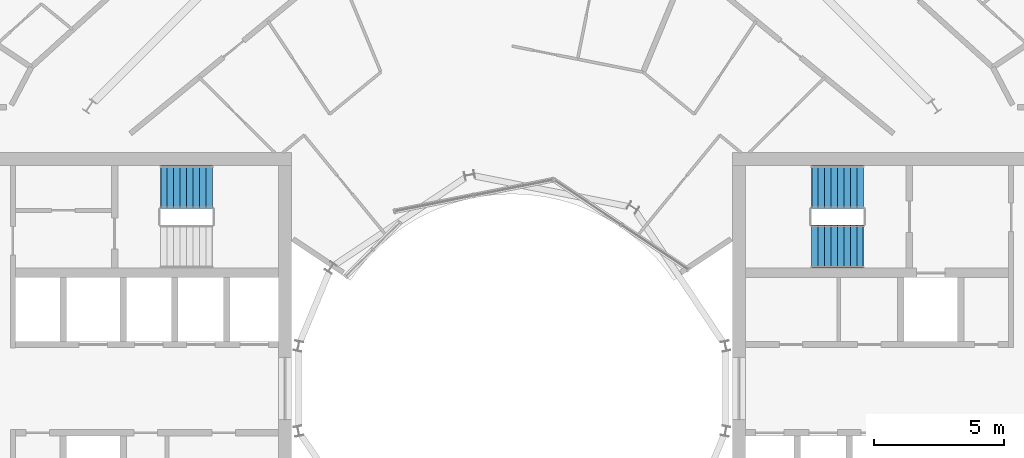
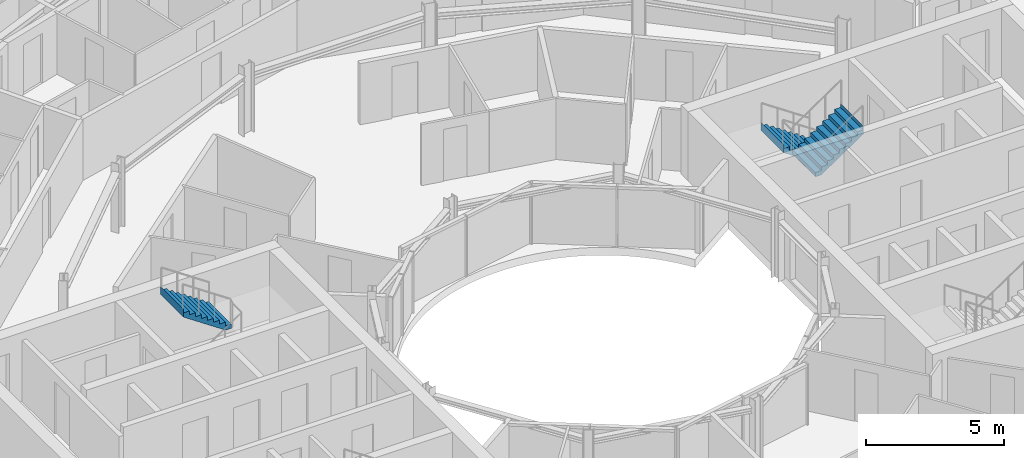
# One storey, part 25 of 27: 3 stair flights, 2 elements without a shape of their own.
"""IFC4 building model written with IfcOpenShell, lengths in metres."""

from ifc_helpers import new_model, si_unit, direction, frame, origin, place, context, subcontext, project, spatial, triangles, material, type_object, element, aggregate, save


model = new_model("IFC4")

# Units and contexts
model_context = context("Model", 3, precision=1e-05, world=origin(), true_north=direction((0.0, 1.0)))
body_context = subcontext(model_context, "Body", "Model", "MODEL_VIEW")
ifc_project = project(units=[si_unit("LENGTHUNIT", "METRE"), si_unit("AREAUNIT", "SQUARE_METRE"), si_unit("VOLUMEUNIT", "CUBIC_METRE"), si_unit("PLANEANGLEUNIT", "RADIAN"), si_unit("MASSUNIT", "GRAM", prefix="KILO")], contexts=[model_context])

# Site, building, storey
site_placement = place(None, origin())
site = spatial("IfcSite", under=ifc_project, at=site_placement, CompositionType="ELEMENT")
building_placement = place(site_placement, origin())
building = spatial("IfcBuilding", under=site, at=building_placement, Name="Maasbend Ring Residences", CompositionType="ELEMENT")
storey_placement = place(building_placement, frame((0.0, 0.0, 164.64990234375)))
storey = spatial("IfcBuildingStorey", under=building, at=storey_placement, Name="L47", CompositionType="ELEMENT", Elevation=164.64990234375)

# Stair, stair flights
ifc_material_1 = material(Name="Concrete C40/50", Category="concrete")
stair_type = type_object("IfcStairType", Name="CORE STAIR 18 RISERS", PredefinedType="HALF_TURN_STAIR", material=ifc_material_1)
stair_1_placement = place(storey_placement, origin())
stair_1 = element("IfcStair", 1, at=stair_1_placement, inside=storey, type_object=stair_type, Name="L47 Exit stair ST-E1", PredefinedType="HALF_TURN_STAIR")
ifc_material_2 = material(Name="Concrete C40/50", Category="concrete")
stair_flight_type = type_object("IfcStairFlightType", Name="CORE STAIR FLIGHT 1650", PredefinedType="STRAIGHT", material=ifc_material_2)
stair_flight_1_placement = place(storey_placement, frame((13.550048828125, 7.77490234375, 0.0), z_axis=(0.0, 0.0, 1.0), x_axis=(-1.0, 0.0, 0.0)))
stair_flight_1 = element("IfcStairFlight", 2, at=stair_flight_1_placement, type_object=stair_flight_type, Name="ST-E1 flight 1", NumberOfRisers=9, NumberOfTreads=8, PredefinedType="STRAIGHT", RiserHeight=0.169444444, TreadLength=0.25, context=body_context, shape_type="Tessellation", body=[
    triangles([(0.24072265625, 0.824951171875, -0.02001953125), (2.0029296875, 0.824951171875, 1.174560546875), (2.0029296875, 0.824951171875, 1.52490234375), (1.989990234375, 0.824951171875, 1.35546875), (1.75, 0.824951171875, 1.35546875), (1.75, 0.824951171875, 1.18603515625), (1.5, 0.824951171875, 1.18603515625), (1.5, 0.824951171875, 1.0166015625), (1.25, 0.824951171875, 1.0166015625), (1.25, 0.824951171875, 0.84716796875), (1.0, 0.824951171875, 0.84716796875), (1.0, 0.824951171875, 0.677734375), (0.75, 0.824951171875, 0.677734375), (0.75, 0.824951171875, 0.50830078125), (0.5, 0.824951171875, 0.50830078125), (0.5, 0.824951171875, 0.3388671875), (0.25, 0.824951171875, 0.3388671875), (0.25, 0.824951171875, 0.16943359375), (0.0, 0.824951171875, 0.16943359375), (0.0, 0.824951171875, 0.0), (-0.0029296875, 0.824951171875, 0.0), (-0.0029296875, 0.824951171875, -0.02001953125), (0.24072265625, 0.27490234375, -0.02001953125), (2.0029296875, 0.27490234375, 1.174560546875), (2.0029296875, 0.27490234375, 1.52490234375), (1.989990234375, 0.27490234375, 1.35546875), (1.75, 0.27490234375, 1.35546875), (1.75, 0.27490234375, 1.18603515625), (1.5, 0.27490234375, 1.18603515625), (1.5, 0.27490234375, 1.0166015625), (1.25, 0.27490234375, 1.0166015625), (1.25, 0.27490234375, 0.84716796875), (1.0, 0.27490234375, 0.84716796875), (1.0, 0.27490234375, 0.677734375), (0.75, 0.27490234375, 0.677734375), (0.75, 0.27490234375, 0.50830078125), (0.5, 0.27490234375, 0.50830078125), (0.5, 0.27490234375, 0.3388671875), (0.25, 0.27490234375, 0.3388671875), (0.25, 0.27490234375, 0.16943359375), (0.0, 0.27490234375, 0.16943359375), (0.0, 0.27490234375, 0.0), (-0.0029296875, 0.27490234375, 0.0), (-0.0029296875, 0.27490234375, -0.02001953125), (0.24072265625, -0.27490234375, -0.02001953125), (2.0029296875, -0.27490234375, 1.174560546875), (2.0029296875, -0.27490234375, 1.52490234375), (1.989990234375, -0.27490234375, 1.35546875), (1.75, -0.27490234375, 1.35546875), (1.75, -0.27490234375, 1.18603515625), (1.5, -0.27490234375, 1.18603515625), (1.5, -0.27490234375, 1.0166015625), (1.25, -0.27490234375, 1.0166015625), (1.25, -0.27490234375, 0.84716796875), (1.0, -0.27490234375, 0.84716796875), (1.0, -0.27490234375, 0.677734375), (0.75, -0.27490234375, 0.677734375), (0.75, -0.27490234375, 0.50830078125), (0.5, -0.27490234375, 0.50830078125), (0.5, -0.27490234375, 0.3388671875), (0.25, -0.27490234375, 0.3388671875), (0.25, -0.27490234375, 0.16943359375), (0.0, -0.27490234375, 0.16943359375), (0.0, -0.27490234375, 0.0), (-0.0029296875, -0.27490234375, 0.0), (-0.0029296875, -0.27490234375, -0.02001953125), (0.24072265625, -0.824951171875, -0.02001953125), (2.0029296875, -0.824951171875, 1.174560546875), (2.0029296875, -0.824951171875, 1.52490234375), (1.989990234375, -0.824951171875, 1.35546875), (1.75, -0.824951171875, 1.35546875), (1.75, -0.824951171875, 1.18603515625), (1.5, -0.824951171875, 1.18603515625), (1.5, -0.824951171875, 1.0166015625), (1.25, -0.824951171875, 1.0166015625), (1.25, -0.824951171875, 0.84716796875), (1.0, -0.824951171875, 0.84716796875), (1.0, -0.824951171875, 0.677734375), (0.75, -0.824951171875, 0.677734375), (0.75, -0.824951171875, 0.50830078125), (0.5, -0.824951171875, 0.50830078125), (0.5, -0.824951171875, 0.3388671875), (0.25, -0.824951171875, 0.3388671875), (0.25, -0.824951171875, 0.16943359375), (0.0, -0.824951171875, 0.16943359375), (0.0, -0.824951171875, 0.0), (-0.0029296875, -0.824951171875, 0.0), (-0.0029296875, -0.824951171875, -0.02001953125)], [[1, 2, 24], [1, 24, 23], [23, 24, 46], [23, 46, 45], [45, 46, 68], [45, 68, 67], [2, 3, 25], [2, 25, 24], [24, 25, 47], [24, 47, 46], [46, 47, 69], [46, 69, 68], [3, 4, 26], [3, 26, 25], [25, 26, 48], [25, 48, 47], [47, 48, 70], [47, 70, 69], [4, 5, 27], [4, 27, 26], [26, 27, 49], [26, 49, 48], [48, 49, 71], [48, 71, 70], [5, 6, 28], [5, 28, 27], [27, 28, 50], [27, 50, 49], [49, 50, 72], [49, 72, 71], [6, 7, 29], [6, 29, 28], [28, 29, 51], [28, 51, 50], [50, 51, 73], [50, 73, 72], [7, 8, 30], [7, 30, 29], [29, 30, 52], [29, 52, 51], [51, 52, 74], [51, 74, 73], [8, 9, 31], [8, 31, 30], [30, 31, 53], [30, 53, 52], [52, 53, 75], [52, 75, 74], [9, 10, 32], [9, 32, 31], [31, 32, 54], [31, 54, 53], [53, 54, 76], [53, 76, 75], [10, 11, 33], [10, 33, 32], [32, 33, 55], [32, 55, 54], [54, 55, 77], [54, 77, 76], [11, 12, 34], [11, 34, 33], [33, 34, 56], [33, 56, 55], [55, 56, 78], [55, 78, 77], [12, 13, 35], [12, 35, 34], [34, 35, 57], [34, 57, 56], [56, 57, 79], [56, 79, 78], [13, 14, 36], [13, 36, 35], [35, 36, 58], [35, 58, 57], [57, 58, 80], [57, 80, 79], [14, 15, 37], [14, 37, 36], [36, 37, 59], [36, 59, 58], [58, 59, 81], [58, 81, 80], [15, 16, 38], [15, 38, 37], [37, 38, 60], [37, 60, 59], [59, 60, 82], [59, 82, 81], [16, 17, 39], [16, 39, 38], [38, 39, 61], [38, 61, 60], [60, 61, 83], [60, 83, 82], [17, 18, 40], [17, 40, 39], [39, 40, 62], [39, 62, 61], [61, 62, 84], [61, 84, 83], [18, 19, 41], [18, 41, 40], [40, 41, 63], [40, 63, 62], [62, 63, 85], [62, 85, 84], [19, 20, 42], [19, 42, 41], [41, 42, 64], [41, 64, 63], [63, 64, 86], [63, 86, 85], [20, 21, 43], [20, 43, 42], [42, 43, 65], [42, 65, 64], [64, 65, 87], [64, 87, 86], [21, 22, 44], [21, 44, 43], [43, 44, 66], [43, 66, 65], [65, 66, 88], [65, 88, 87], [22, 1, 23], [22, 23, 44], [44, 23, 45], [44, 45, 66], [66, 45, 67], [66, 67, 88], [22, 2, 1], [2, 4, 3], [2, 5, 4], [2, 6, 5], [22, 6, 2], [6, 8, 7], [22, 8, 6], [8, 10, 9], [22, 10, 8], [10, 12, 11], [22, 12, 10], [12, 14, 13], [22, 14, 12], [14, 16, 15], [22, 16, 14], [16, 18, 17], [22, 18, 16], [18, 20, 19], [22, 20, 18], [20, 22, 21], [88, 67, 68], [68, 69, 70], [68, 70, 71], [68, 71, 72], [88, 68, 72], [72, 73, 74], [88, 72, 74], [74, 75, 76], [88, 74, 76], [76, 77, 78], [88, 76, 78], [78, 79, 80], [88, 78, 80], [80, 81, 82], [88, 80, 82], [82, 83, 84], [88, 82, 84], [84, 85, 86], [88, 84, 86], [86, 87, 88]], closed=True),
])
stair_flight_2_placement = place(storey_placement, frame((11.550048828125, 5.47509765625, 1.525146484375), z_axis=(0.0, 0.0, 1.0), x_axis=(1.0, 0.0, 0.0)))
stair_flight_2 = element("IfcStairFlight", 3, at=stair_flight_2_placement, type_object=stair_flight_type, Name="ST-E1 flight 2", NumberOfRisers=9, NumberOfTreads=8, PredefinedType="STRAIGHT", RiserHeight=0.169444444, TreadLength=0.25, context=body_context, shape_type="Tessellation", body=[
    triangles([(0.24072265625, 0.824951171875, -0.02001953125), (2.0029296875, 0.824951171875, 1.174560546875), (2.0029296875, 0.824951171875, 1.52490234375), (1.989990234375, 0.824951171875, 1.35546875), (1.75, 0.824951171875, 1.35546875), (1.75, 0.824951171875, 1.18603515625), (1.5, 0.824951171875, 1.18603515625), (1.5, 0.824951171875, 1.0166015625), (1.25, 0.824951171875, 1.0166015625), (1.25, 0.824951171875, 0.84716796875), (1.0, 0.824951171875, 0.84716796875), (1.0, 0.824951171875, 0.677734375), (0.75, 0.824951171875, 0.677734375), (0.75, 0.824951171875, 0.50830078125), (0.5, 0.824951171875, 0.50830078125), (0.5, 0.824951171875, 0.3388671875), (0.25, 0.824951171875, 0.3388671875), (0.25, 0.824951171875, 0.16943359375), (0.0, 0.824951171875, 0.16943359375), (0.0, 0.824951171875, 0.0), (-0.0029296875, 0.824951171875, 0.0), (-0.0029296875, 0.824951171875, -0.02001953125), (0.24072265625, 0.27490234375, -0.02001953125), (2.0029296875, 0.27490234375, 1.174560546875), (2.0029296875, 0.27490234375, 1.52490234375), (1.989990234375, 0.27490234375, 1.35546875), (1.75, 0.27490234375, 1.35546875), (1.75, 0.27490234375, 1.18603515625), (1.5, 0.27490234375, 1.18603515625), (1.5, 0.27490234375, 1.0166015625), (1.25, 0.27490234375, 1.0166015625), (1.25, 0.27490234375, 0.84716796875), (1.0, 0.27490234375, 0.84716796875), (1.0, 0.27490234375, 0.677734375), (0.75, 0.27490234375, 0.677734375), (0.75, 0.27490234375, 0.50830078125), (0.5, 0.27490234375, 0.50830078125), (0.5, 0.27490234375, 0.3388671875), (0.25, 0.27490234375, 0.3388671875), (0.25, 0.27490234375, 0.16943359375), (0.0, 0.27490234375, 0.16943359375), (0.0, 0.27490234375, 0.0), (-0.0029296875, 0.27490234375, 0.0), (-0.0029296875, 0.27490234375, -0.02001953125), (0.24072265625, -0.27490234375, -0.02001953125), (2.0029296875, -0.27490234375, 1.174560546875), (2.0029296875, -0.27490234375, 1.52490234375), (1.989990234375, -0.27490234375, 1.35546875), (1.75, -0.27490234375, 1.35546875), (1.75, -0.27490234375, 1.18603515625), (1.5, -0.27490234375, 1.18603515625), (1.5, -0.27490234375, 1.0166015625), (1.25, -0.27490234375, 1.0166015625), (1.25, -0.27490234375, 0.84716796875), (1.0, -0.27490234375, 0.84716796875), (1.0, -0.27490234375, 0.677734375), (0.75, -0.27490234375, 0.677734375), (0.75, -0.27490234375, 0.50830078125), (0.5, -0.27490234375, 0.50830078125), (0.5, -0.27490234375, 0.3388671875), (0.25, -0.27490234375, 0.3388671875), (0.25, -0.27490234375, 0.16943359375), (0.0, -0.27490234375, 0.16943359375), (0.0, -0.27490234375, 0.0), (-0.0029296875, -0.27490234375, 0.0), (-0.0029296875, -0.27490234375, -0.02001953125), (0.24072265625, -0.824951171875, -0.02001953125), (2.0029296875, -0.824951171875, 1.174560546875), (2.0029296875, -0.824951171875, 1.52490234375), (1.989990234375, -0.824951171875, 1.35546875), (1.75, -0.824951171875, 1.35546875), (1.75, -0.824951171875, 1.18603515625), (1.5, -0.824951171875, 1.18603515625), (1.5, -0.824951171875, 1.0166015625), (1.25, -0.824951171875, 1.0166015625), (1.25, -0.824951171875, 0.84716796875), (1.0, -0.824951171875, 0.84716796875), (1.0, -0.824951171875, 0.677734375), (0.75, -0.824951171875, 0.677734375), (0.75, -0.824951171875, 0.50830078125), (0.5, -0.824951171875, 0.50830078125), (0.5, -0.824951171875, 0.3388671875), (0.25, -0.824951171875, 0.3388671875), (0.25, -0.824951171875, 0.16943359375), (0.0, -0.824951171875, 0.16943359375), (0.0, -0.824951171875, 0.0), (-0.0029296875, -0.824951171875, 0.0), (-0.0029296875, -0.824951171875, -0.02001953125)], [[1, 2, 24], [1, 24, 23], [23, 24, 46], [23, 46, 45], [45, 46, 68], [45, 68, 67], [2, 3, 25], [2, 25, 24], [24, 25, 47], [24, 47, 46], [46, 47, 69], [46, 69, 68], [3, 4, 26], [3, 26, 25], [25, 26, 48], [25, 48, 47], [47, 48, 70], [47, 70, 69], [4, 5, 27], [4, 27, 26], [26, 27, 49], [26, 49, 48], [48, 49, 71], [48, 71, 70], [5, 6, 28], [5, 28, 27], [27, 28, 50], [27, 50, 49], [49, 50, 72], [49, 72, 71], [6, 7, 29], [6, 29, 28], [28, 29, 51], [28, 51, 50], [50, 51, 73], [50, 73, 72], [7, 8, 30], [7, 30, 29], [29, 30, 52], [29, 52, 51], [51, 52, 74], [51, 74, 73], [8, 9, 31], [8, 31, 30], [30, 31, 53], [30, 53, 52], [52, 53, 75], [52, 75, 74], [9, 10, 32], [9, 32, 31], [31, 32, 54], [31, 54, 53], [53, 54, 76], [53, 76, 75], [10, 11, 33], [10, 33, 32], [32, 33, 55], [32, 55, 54], [54, 55, 77], [54, 77, 76], [11, 12, 34], [11, 34, 33], [33, 34, 56], [33, 56, 55], [55, 56, 78], [55, 78, 77], [12, 13, 35], [12, 35, 34], [34, 35, 57], [34, 57, 56], [56, 57, 79], [56, 79, 78], [13, 14, 36], [13, 36, 35], [35, 36, 58], [35, 58, 57], [57, 58, 80], [57, 80, 79], [14, 15, 37], [14, 37, 36], [36, 37, 59], [36, 59, 58], [58, 59, 81], [58, 81, 80], [15, 16, 38], [15, 38, 37], [37, 38, 60], [37, 60, 59], [59, 60, 82], [59, 82, 81], [16, 17, 39], [16, 39, 38], [38, 39, 61], [38, 61, 60], [60, 61, 83], [60, 83, 82], [17, 18, 40], [17, 40, 39], [39, 40, 62], [39, 62, 61], [61, 62, 84], [61, 84, 83], [18, 19, 41], [18, 41, 40], [40, 41, 63], [40, 63, 62], [62, 63, 85], [62, 85, 84], [19, 20, 42], [19, 42, 41], [41, 42, 64], [41, 64, 63], [63, 64, 86], [63, 86, 85], [20, 21, 43], [20, 43, 42], [42, 43, 65], [42, 65, 64], [64, 65, 87], [64, 87, 86], [21, 22, 44], [21, 44, 43], [43, 44, 66], [43, 66, 65], [65, 66, 88], [65, 88, 87], [22, 1, 23], [22, 23, 44], [44, 23, 45], [44, 45, 66], [66, 45, 67], [66, 67, 88], [22, 2, 1], [2, 4, 3], [2, 5, 4], [2, 6, 5], [22, 6, 2], [6, 8, 7], [22, 8, 6], [8, 10, 9], [22, 10, 8], [10, 12, 11], [22, 12, 10], [12, 14, 13], [22, 14, 12], [14, 16, 15], [22, 16, 14], [16, 18, 17], [22, 18, 16], [18, 20, 19], [22, 20, 18], [20, 22, 21], [88, 67, 68], [68, 69, 70], [68, 70, 71], [68, 71, 72], [88, 68, 72], [72, 73, 74], [88, 72, 74], [74, 75, 76], [88, 74, 76], [76, 77, 78], [88, 76, 78], [78, 79, 80], [88, 78, 80], [80, 81, 82], [88, 80, 82], [82, 83, 84], [88, 82, 84], [84, 85, 86], [88, 84, 86], [86, 87, 88]], closed=True),
])
aggregate(stair_1, [stair_flight_1, stair_flight_2])

# Stair, stair flight
stair_2_placement = place(storey_placement, origin())
stair_2 = element("IfcStair", 4, at=stair_2_placement, inside=storey, type_object=stair_type, Name="L47 Exit stair ST-W2", PredefinedType="HALF_TURN_STAIR")
stair_flight_3_placement = place(storey_placement, frame((-11.550048828125, 7.77490234375, 1.525146484375), z_axis=(0.0, 0.0, 1.0), x_axis=(-1.0, 0.0, 0.0)))
stair_flight_3 = element("IfcStairFlight", 5, at=stair_flight_3_placement, type_object=stair_flight_type, Name="ST-W2 flight 2", NumberOfRisers=9, NumberOfTreads=8, PredefinedType="STRAIGHT", RiserHeight=0.169444444, TreadLength=0.25, context=body_context, shape_type="Tessellation", body=[
    triangles([(0.24072265625, 0.824951171875, -0.02001953125), (2.0029296875, 0.824951171875, 1.174560546875), (2.0029296875, 0.824951171875, 1.52490234375), (1.989990234375, 0.824951171875, 1.35546875), (1.75, 0.824951171875, 1.35546875), (1.75, 0.824951171875, 1.18603515625), (1.5, 0.824951171875, 1.18603515625), (1.5, 0.824951171875, 1.0166015625), (1.25, 0.824951171875, 1.0166015625), (1.25, 0.824951171875, 0.84716796875), (1.0, 0.824951171875, 0.84716796875), (1.0, 0.824951171875, 0.677734375), (0.75, 0.824951171875, 0.677734375), (0.75, 0.824951171875, 0.50830078125), (0.5, 0.824951171875, 0.50830078125), (0.5, 0.824951171875, 0.3388671875), (0.25, 0.824951171875, 0.3388671875), (0.25, 0.824951171875, 0.16943359375), (0.0, 0.824951171875, 0.16943359375), (0.0, 0.824951171875, 0.0), (-0.0029296875, 0.824951171875, 0.0), (-0.0029296875, 0.824951171875, -0.02001953125), (0.24072265625, 0.27490234375, -0.02001953125), (2.0029296875, 0.27490234375, 1.174560546875), (2.0029296875, 0.27490234375, 1.52490234375), (1.989990234375, 0.27490234375, 1.35546875), (1.75, 0.27490234375, 1.35546875), (1.75, 0.27490234375, 1.18603515625), (1.5, 0.27490234375, 1.18603515625), (1.5, 0.27490234375, 1.0166015625), (1.25, 0.27490234375, 1.0166015625), (1.25, 0.27490234375, 0.84716796875), (1.0, 0.27490234375, 0.84716796875), (1.0, 0.27490234375, 0.677734375), (0.75, 0.27490234375, 0.677734375), (0.75, 0.27490234375, 0.50830078125), (0.5, 0.27490234375, 0.50830078125), (0.5, 0.27490234375, 0.3388671875), (0.25, 0.27490234375, 0.3388671875), (0.25, 0.27490234375, 0.16943359375), (0.0, 0.27490234375, 0.16943359375), (0.0, 0.27490234375, 0.0), (-0.0029296875, 0.27490234375, 0.0), (-0.0029296875, 0.27490234375, -0.02001953125), (0.24072265625, -0.27490234375, -0.02001953125), (2.0029296875, -0.27490234375, 1.174560546875), (2.0029296875, -0.27490234375, 1.52490234375), (1.989990234375, -0.27490234375, 1.35546875), (1.75, -0.27490234375, 1.35546875), (1.75, -0.27490234375, 1.18603515625), (1.5, -0.27490234375, 1.18603515625), (1.5, -0.27490234375, 1.0166015625), (1.25, -0.27490234375, 1.0166015625), (1.25, -0.27490234375, 0.84716796875), (1.0, -0.27490234375, 0.84716796875), (1.0, -0.27490234375, 0.677734375), (0.75, -0.27490234375, 0.677734375), (0.75, -0.27490234375, 0.50830078125), (0.5, -0.27490234375, 0.50830078125), (0.5, -0.27490234375, 0.3388671875), (0.25, -0.27490234375, 0.3388671875), (0.25, -0.27490234375, 0.16943359375), (0.0, -0.27490234375, 0.16943359375), (0.0, -0.27490234375, 0.0), (-0.0029296875, -0.27490234375, 0.0), (-0.0029296875, -0.27490234375, -0.02001953125), (0.24072265625, -0.824951171875, -0.02001953125), (2.0029296875, -0.824951171875, 1.174560546875), (2.0029296875, -0.824951171875, 1.52490234375), (1.989990234375, -0.824951171875, 1.35546875), (1.75, -0.824951171875, 1.35546875), (1.75, -0.824951171875, 1.18603515625), (1.5, -0.824951171875, 1.18603515625), (1.5, -0.824951171875, 1.0166015625), (1.25, -0.824951171875, 1.0166015625), (1.25, -0.824951171875, 0.84716796875), (1.0, -0.824951171875, 0.84716796875), (1.0, -0.824951171875, 0.677734375), (0.75, -0.824951171875, 0.677734375), (0.75, -0.824951171875, 0.50830078125), (0.5, -0.824951171875, 0.50830078125), (0.5, -0.824951171875, 0.3388671875), (0.25, -0.824951171875, 0.3388671875), (0.25, -0.824951171875, 0.16943359375), (0.0, -0.824951171875, 0.16943359375), (0.0, -0.824951171875, 0.0), (-0.0029296875, -0.824951171875, 0.0), (-0.0029296875, -0.824951171875, -0.02001953125)], [[1, 2, 24], [1, 24, 23], [23, 24, 46], [23, 46, 45], [45, 46, 68], [45, 68, 67], [2, 3, 25], [2, 25, 24], [24, 25, 47], [24, 47, 46], [46, 47, 69], [46, 69, 68], [3, 4, 26], [3, 26, 25], [25, 26, 48], [25, 48, 47], [47, 48, 70], [47, 70, 69], [4, 5, 27], [4, 27, 26], [26, 27, 49], [26, 49, 48], [48, 49, 71], [48, 71, 70], [5, 6, 28], [5, 28, 27], [27, 28, 50], [27, 50, 49], [49, 50, 72], [49, 72, 71], [6, 7, 29], [6, 29, 28], [28, 29, 51], [28, 51, 50], [50, 51, 73], [50, 73, 72], [7, 8, 30], [7, 30, 29], [29, 30, 52], [29, 52, 51], [51, 52, 74], [51, 74, 73], [8, 9, 31], [8, 31, 30], [30, 31, 53], [30, 53, 52], [52, 53, 75], [52, 75, 74], [9, 10, 32], [9, 32, 31], [31, 32, 54], [31, 54, 53], [53, 54, 76], [53, 76, 75], [10, 11, 33], [10, 33, 32], [32, 33, 55], [32, 55, 54], [54, 55, 77], [54, 77, 76], [11, 12, 34], [11, 34, 33], [33, 34, 56], [33, 56, 55], [55, 56, 78], [55, 78, 77], [12, 13, 35], [12, 35, 34], [34, 35, 57], [34, 57, 56], [56, 57, 79], [56, 79, 78], [13, 14, 36], [13, 36, 35], [35, 36, 58], [35, 58, 57], [57, 58, 80], [57, 80, 79], [14, 15, 37], [14, 37, 36], [36, 37, 59], [36, 59, 58], [58, 59, 81], [58, 81, 80], [15, 16, 38], [15, 38, 37], [37, 38, 60], [37, 60, 59], [59, 60, 82], [59, 82, 81], [16, 17, 39], [16, 39, 38], [38, 39, 61], [38, 61, 60], [60, 61, 83], [60, 83, 82], [17, 18, 40], [17, 40, 39], [39, 40, 62], [39, 62, 61], [61, 62, 84], [61, 84, 83], [18, 19, 41], [18, 41, 40], [40, 41, 63], [40, 63, 62], [62, 63, 85], [62, 85, 84], [19, 20, 42], [19, 42, 41], [41, 42, 64], [41, 64, 63], [63, 64, 86], [63, 86, 85], [20, 21, 43], [20, 43, 42], [42, 43, 65], [42, 65, 64], [64, 65, 87], [64, 87, 86], [21, 22, 44], [21, 44, 43], [43, 44, 66], [43, 66, 65], [65, 66, 88], [65, 88, 87], [22, 1, 23], [22, 23, 44], [44, 23, 45], [44, 45, 66], [66, 45, 67], [66, 67, 88], [22, 2, 1], [2, 4, 3], [2, 5, 4], [2, 6, 5], [22, 6, 2], [6, 8, 7], [22, 8, 6], [8, 10, 9], [22, 10, 8], [10, 12, 11], [22, 12, 10], [12, 14, 13], [22, 14, 12], [14, 16, 15], [22, 16, 14], [16, 18, 17], [22, 18, 16], [18, 20, 19], [22, 20, 18], [20, 22, 21], [88, 67, 68], [68, 69, 70], [68, 70, 71], [68, 71, 72], [88, 68, 72], [72, 73, 74], [88, 72, 74], [74, 75, 76], [88, 74, 76], [76, 77, 78], [88, 76, 78], [78, 79, 80], [88, 78, 80], [80, 81, 82], [88, 80, 82], [82, 83, 84], [88, 82, 84], [84, 85, 86], [88, 84, 86], [86, 87, 88]], closed=True),
])
aggregate(stair_2, [stair_flight_3])

save(model, "model.ifc")
